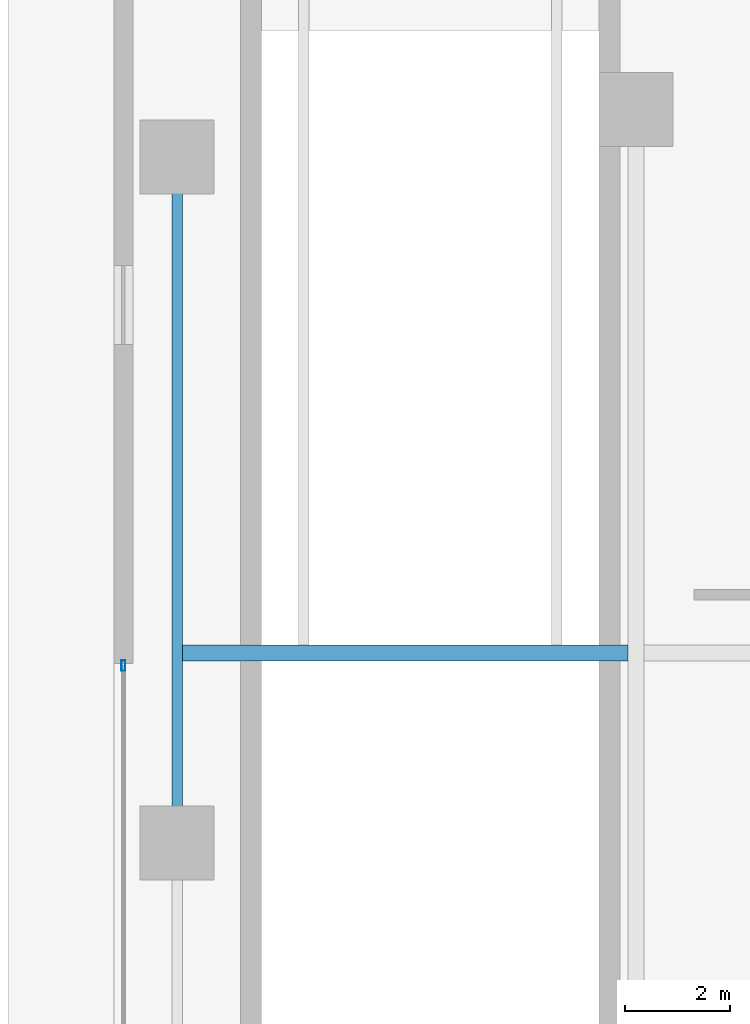
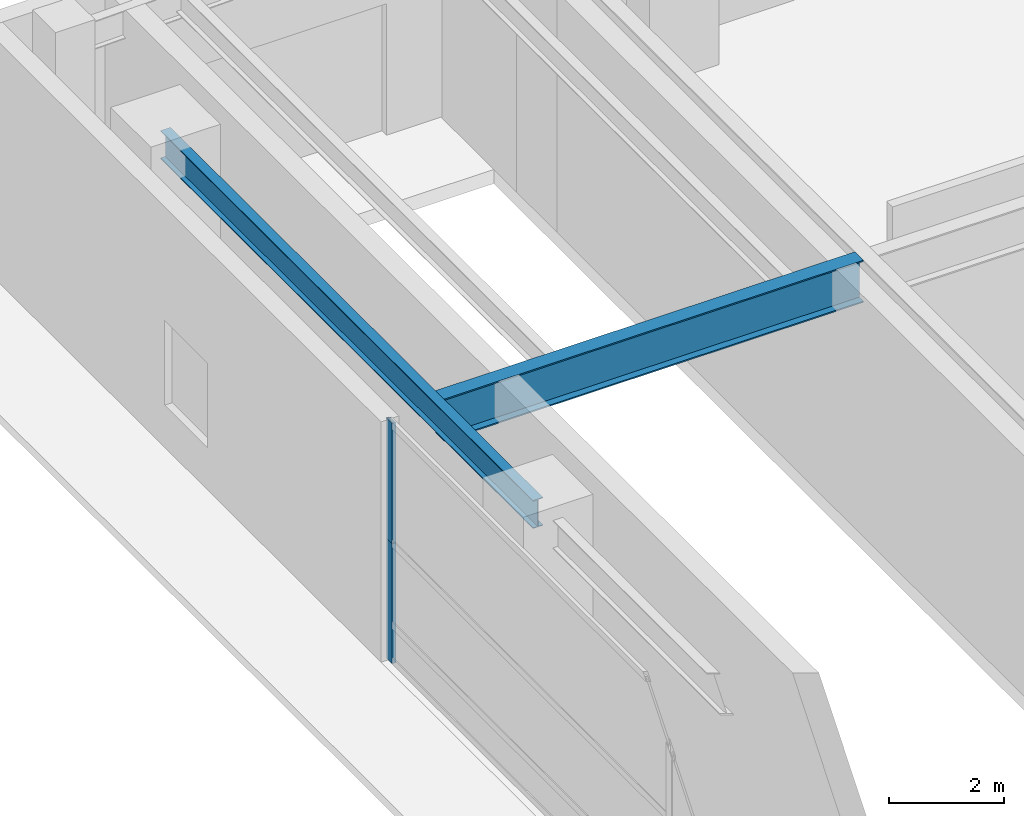
# One storey, part 12 of 32: 2 beams, 2 members, 1 element without a shape of its own.
"""IFC4 building model written with IfcOpenShell, lengths in metres."""

import ifcopenshell
import ifcopenshell.guid

model = None  # the IFC model being written
_history = None  # IfcOwnerHistory: only IFC2X3 demands one
_inside = {}  # id of a spatial element -> (the spatial element, [elements in it])
_under = {}  # id of a project, library or spatial element -> (it, [spatial elements below it])
_declared = {}  # id of a project -> (the project, [libraries it declares])
_typed = {}  # id of a type object -> (the type object, [elements of that type])
_made_of = {}  # id of a material, layer set ... -> (it, [elements and type objects made of it])


def new_model(schema):
    """Start an empty IFC model of exactly this schema.

    Asked for "IFC4X3", IfcOpenShell would pick the latest addendum, in which some entities
    have other attributes; the version numbers below select the first issue.
    IFC2X3 requires an IfcOwnerHistory on every rooted entity: one is made here for all.
    """
    global model, _history
    if schema == "IFC4X3":
        model = ifcopenshell.file(schema_version=(4, 3, 0, 0))
    else:
        model = ifcopenshell.file(schema=schema)
    _inside.clear()
    _under.clear()
    _declared.clear()
    _typed.clear()
    _made_of.clear()
    _history = None
    if model.schema == "IFC2X3":
        org = make("IfcOrganization", Name="unknown")
        user = make(
            "IfcPersonAndOrganization",
            ThePerson=make("IfcPerson", FamilyName="unknown"),
            TheOrganization=org,
        )
        app = make(
            "IfcApplication",
            ApplicationDeveloper=org,
            Version="unknown",
            ApplicationFullName="unknown",
            ApplicationIdentifier="unknown",
        )
        _history = make(
            "IfcOwnerHistory",
            OwningUser=user,
            OwningApplication=app,
            ChangeAction="ADDED",
            CreationDate=0,
        )
    return model


def make(cls, **values):
    """One entity of the class cls with the attributes given. An attribute that is None is left unset."""
    return model.create_entity(
        cls, **{name: value for name, value in values.items() if value is not None}
    )


def rooted(cls, **values):
    """An entity with a GlobalId (a new one), such as an element, a storey or a relation."""
    return make(cls, GlobalId=ifcopenshell.guid.new(), OwnerHistory=_history, **values)


def si_unit(unit_type, name, prefix=None):
    """IfcSIUnit, for example si_unit("LENGTHUNIT", "METRE", prefix="MILLI")."""
    return make("IfcSIUnit", UnitType=unit_type, Prefix=prefix, Name=name)


def assignment(units):
    """IfcUnitAssignment: the units of a project."""
    return None if units is None else make("IfcUnitAssignment", Units=units)


def point(xyz):
    """IfcCartesianPoint."""
    return None if xyz is None else make("IfcCartesianPoint", Coordinates=xyz)


def direction(xyz):
    """IfcDirection."""
    return None if xyz is None else make("IfcDirection", DirectionRatios=xyz)


def frame(location, z_axis=None, x_axis=None):
    """IfcAxis2Placement3D, a coordinate frame: its origin and axes. An axis left out is left unset."""
    return make(
        "IfcAxis2Placement3D",
        Location=point(location),
        Axis=direction(z_axis),
        RefDirection=direction(x_axis),
    )


def frame_2d(location, x_axis=None):
    """IfcAxis2Placement2D, a coordinate frame in the plane: its origin and x axis."""
    return make(
        "IfcAxis2Placement2D", Location=point(location), RefDirection=direction(x_axis)
    )


def origin():
    """The frame at (0, 0, 0) with its axes left unset."""
    return frame((0.0, 0.0, 0.0))


def origin_2d():
    """The frame at (0, 0) in the plane with its x axis left unset."""
    return frame_2d((0.0, 0.0))


def place(relative_to, where):
    """IfcLocalPlacement: puts the frame where relative to a parent placement (None: the world)."""
    return make(
        "IfcLocalPlacement", PlacementRelTo=relative_to, RelativePlacement=where
    )


def context(
    kind, dimensions, precision=None, world=None, true_north=None, identifier=None
):
    """IfcGeometricRepresentationContext, for example the 3D "Model" context."""
    return make(
        "IfcGeometricRepresentationContext",
        ContextIdentifier=identifier,
        ContextType=kind,
        CoordinateSpaceDimension=dimensions,
        Precision=precision,
        WorldCoordinateSystem=world,
        TrueNorth=true_north,
    )


def subcontext(parent, identifier, kind, view, scale=None):
    """IfcGeometricRepresentationSubContext, for example "Body" below "Model"."""
    return make(
        "IfcGeometricRepresentationSubContext",
        ContextIdentifier=identifier,
        ContextType=kind,
        ParentContext=parent,
        TargetScale=scale,
        TargetView=view,
    )


def project(units=None, contexts=None):
    """IfcProject with its units and contexts."""
    return rooted(
        "IfcProject",
        Name="project",
        RepresentationContexts=contexts,
        UnitsInContext=assignment(units),
    )


def spatial(cls, under=None, at=None, **own):
    """A site, building, storey or space (cls), placed at a placement, below another one or the project."""
    s = rooted(cls, ObjectPlacement=at, **own)
    if under is not None:
        _under.setdefault(under.id(), (under, []))[1].append(s)
    return s


def profile(cls, at=None, kind="AREA", **sizes):
    """A parametric profile (cls). Its sizes go by their IFC names, for example OverallWidth=200.0."""
    return make(cls, ProfileType=kind, Position=at, **sizes)


def hollow_rectangle(**sizes):
    """IfcRectangleHollowProfileDef."""
    return profile("IfcRectangleHollowProfileDef", **sizes)


def i_section(**sizes):
    """IfcIShapeProfileDef."""
    return profile("IfcIShapeProfileDef", **sizes)


def extrude(swept, where, along, depth):
    """IfcExtrudedAreaSolid: the profile swept, set in the frame where, extruded along a direction by depth."""
    return make(
        "IfcExtrudedAreaSolid",
        SweptArea=swept,
        Position=where,
        ExtrudedDirection=direction(along),
        Depth=depth,
    )


def shape(context_of_items, identifier, shape_type, items):
    """IfcShapeRepresentation: the items that make up one representation, for example the "Body"."""
    return make(
        "IfcShapeRepresentation",
        ContextOfItems=context_of_items,
        RepresentationIdentifier=identifier,
        RepresentationType=shape_type,
        Items=items,
    )


def source(mapping_origin, context_of_items, identifier, shape_type, items):
    """IfcRepresentationMap: a shape defined once, which mapped items show again and again."""
    return make(
        "IfcRepresentationMap",
        MappingOrigin=mapping_origin,
        MappedRepresentation=shape(context_of_items, identifier, shape_type, items),
    )


def transform(
    local_origin,
    x_axis=None,
    y_axis=None,
    z_axis=None,
    scale=None,
    scale2=None,
    scale3=None,
    uniform=True,
):
    """IfcCartesianTransformationOperator3D, or its non-uniform kind. x_axis, y_axis, z_axis: its Axis1, 2, 3."""
    if uniform:
        return make(
            "IfcCartesianTransformationOperator3D",
            Axis1=direction(x_axis),
            Axis2=direction(y_axis),
            LocalOrigin=point(local_origin),
            Scale=scale,
            Axis3=direction(z_axis),
        )
    return make(
        "IfcCartesianTransformationOperator3DnonUniform",
        Axis1=direction(x_axis),
        Axis2=direction(y_axis),
        LocalOrigin=point(local_origin),
        Scale=scale,
        Axis3=direction(z_axis),
        Scale2=scale2,
        Scale3=scale3,
    )


def mapped(mapping_source, mapping_target):
    """IfcMappedItem: shows the shape of a source again, moved by a transform."""
    return make(
        "IfcMappedItem", MappingSource=mapping_source, MappingTarget=mapping_target
    )


def material(Name=None, Category=None):
    """IfcMaterial."""
    return make("IfcMaterial", Name=Name, Category=Category)


def layer(
    of_material, thickness, ventilated=None, Name=None, Category=None, Priority=None
):
    """IfcMaterialLayer: one layer of a wall or slab, of a material (None: an air gap)."""
    return make(
        "IfcMaterialLayer",
        Material=of_material,
        LayerThickness=thickness,
        IsVentilated=ventilated,
        Name=Name,
        Category=Category,
        Priority=Priority,
    )


def layer_set(layers, Name=None):
    """IfcMaterialLayerSet."""
    return make("IfcMaterialLayerSet", MaterialLayers=layers, LayerSetName=Name)


def material_profile(
    of_material, cross_section, Name=None, Category=None, Priority=None
):
    """IfcMaterialProfile: a cross section and its material."""
    return make(
        "IfcMaterialProfile",
        Name=Name,
        Material=of_material,
        Profile=cross_section,
        Priority=Priority,
        Category=Category,
    )


def profile_set(profiles, Name=None, composite=None):
    """IfcMaterialProfileSet."""
    return make(
        "IfcMaterialProfileSet",
        Name=Name,
        MaterialProfiles=profiles,
        CompositeProfile=composite,
    )


def made_of(thing, what):
    """Note that an element or type object is made of a material, layer set ...; save() writes the relation."""
    if what is not None:
        _made_of.setdefault(what.id(), (what, []))[1].append(thing)
    return thing


def type_object(cls, material=None, **own):
    """A type object (cls), such as IfcWallType, which elements share."""
    return made_of(rooted(cls, **own), material)


def element(
    cls,
    number,
    at=None,
    inside=None,
    cuts=None,
    type_object=None,
    material=None,
    context=None,
    identifier="Body",
    shape_type=None,
    held_by="IfcProductDefinitionShape",
    body=None,
    shapes=None,
    **own,
):
    """One element of the class cls, such as IfcWall. Its Tag is "e" and its number.

    at: its placement. inside: the storey or other place that contains it. cuts: it is an
    opening in that element (IfcRelVoidsElement). A single representation is given by context,
    identifier, shape_type and body (its items); several are given by shapes. held_by: the class
    of the entity that holds the representations. save() writes the other relations.
    """
    e = rooted(cls, Tag="e%d" % number, ObjectPlacement=at, **own)
    if body is not None:
        shapes = [shape(context, identifier, shape_type, body)]
    if shapes is not None:
        e.Representation = make(held_by, Representations=shapes)
    if inside is not None:
        _inside.setdefault(inside.id(), (inside, []))[1].append(e)
    if cuts is not None:
        rooted(
            "IfcRelVoidsElement", RelatingBuildingElement=cuts, RelatedOpeningElement=e
        )
    if type_object is not None:
        _typed.setdefault(type_object.id(), (type_object, []))[1].append(e)
    return made_of(e, material)


def aggregate(whole, parts):
    """IfcRelAggregates: a whole, such as a stair, and the parts it consists of."""
    return rooted("IfcRelAggregates", RelatingObject=whole, RelatedObjects=parts)


def save(model, path):
    """Write the relations noted so far, then the file.

    IfcRelAggregates (storeys below a building ...), IfcRelContainedInSpatialStructure (elements
    in a storey), IfcRelDefinesByType, IfcRelAssociatesMaterial and IfcRelDeclares: one each for
    every whole, place, type object, material and project.
    """
    for whole, parts in _under.values():
        aggregate(whole, parts)
    for where, things in _inside.values():
        rooted(
            "IfcRelContainedInSpatialStructure",
            RelatedElements=things,
            RelatingStructure=where,
        )
    for kind, things in _typed.values():
        rooted("IfcRelDefinesByType", RelatedObjects=things, RelatingType=kind)
    for what, things in _made_of.values():
        rooted("IfcRelAssociatesMaterial", RelatedObjects=things, RelatingMaterial=what)
    for by, libraries in _declared.values():
        rooted("IfcRelDeclares", RelatingContext=by, RelatedDefinitions=libraries)
    model.write(path)


model = new_model("IFC4")

# Units and contexts
model_context = context("Model", 3, precision=1e-05, world=origin(), true_north=direction((0.0, 1.0)))
body_context = subcontext(model_context, "Body", "Model", "MODEL_VIEW")
ifc_project = project(units=[si_unit("LENGTHUNIT", "METRE"), si_unit("AREAUNIT", "SQUARE_METRE"), si_unit("VOLUMEUNIT", "CUBIC_METRE"), si_unit("PLANEANGLEUNIT", "RADIAN"), si_unit("MASSUNIT", "GRAM", prefix="KILO"), si_unit("THERMODYNAMICTEMPERATUREUNIT", "KELVIN"), si_unit("POWERUNIT", "WATT")], contexts=[model_context])

# Site, building, storey
site_placement = place(None, origin())
site = spatial("IfcSite", under=ifc_project, at=site_placement, CompositionType="ELEMENT")
building_placement = place(site_placement, origin())
building = spatial("IfcBuilding", under=site, at=building_placement, Name="Yuzanri Waterfront Tower", CompositionType="ELEMENT")
storey_placement = place(building_placement, origin())
storey = spatial("IfcBuildingStorey", under=building, at=storey_placement, Name="L01", CompositionType="ELEMENT", Elevation=0.0)

# Beams
ifc_material_1 = material(Name="Steel Q355B", Category="steel")
ifc_material_profile_1 = material_profile(ifc_material_1, i_section(OverallWidth=0.199951171875, OverallDepth=0.60009765625, WebThickness=0.010986328125, FlangeThickness=0.01708984375, at=origin_2d()), Name="HN 600x200x11x17")
ifc_profile_set_1 = profile_set([ifc_material_profile_1], Name="Steel Q355B")
beam_type_1 = type_object("IfcBeamType", Name="Perimeter Spandrel Q355B HN 600x200", PredefinedType="SPANDREL", material=ifc_profile_set_1)
shared_shape_1 = source(origin(), body_context, "Body", "SweptSolid", [
    extrude(i_section(OverallWidth=0.199951171875, OverallDepth=0.60009765625, WebThickness=0.010986328125, FlangeThickness=0.01708984375, at=origin_2d()), origin(), (0.0, 0.0, 1.0), 13.0),
])
beam_1_placement = place(storey_placement, frame((3.199951171875, 32.199951171875, 4.820068359375), z_axis=(0.0, 1.0, 0.0), x_axis=(-1.0, 0.0, 0.0)))
element("IfcBeam", 1, at=beam_1_placement, inside=storey, type_object=beam_type_1, Name="L01 West Podium Spandrel 3", PredefinedType="SPANDREL", context=body_context, shape_type="MappedRepresentation", body=[
    mapped(shared_shape_1, transform((0.0, 0.0, 0.0), scale=1.0)),
])
ifc_material_2 = material(Name="Steel Q355B", Category="steel")
ifc_material_profile_2 = material_profile(ifc_material_2, i_section(OverallWidth=0.300048828125, OverallDepth=0.89990234375, WebThickness=0.01611328125, FlangeThickness=0.028076171875, at=origin_2d()), Name="HN 900x300x16x28")
ifc_profile_set_2 = profile_set([ifc_material_profile_2], Name="Steel Q355B")
beam_type_2 = type_object("IfcBeamType", Name="Primary Podium Girder Q355B HN 900x300", PredefinedType="BEAM", material=ifc_profile_set_2)
shared_shape_2 = source(origin(), body_context, "Body", "SweptSolid", [
    extrude(i_section(OverallWidth=0.300048828125, OverallDepth=0.89990234375, WebThickness=0.01611328125, FlangeThickness=0.028076171875, at=origin_2d()), origin(), (0.0, 0.0, 1.0), 8.449951171875),
])
beam_2_placement = place(storey_placement, frame((3.300048828125, 35.800048828125, 4.669921875), z_axis=(1.0, 0.0, 0.0), x_axis=(0.0, 1.0, 0.0)))
element("IfcBeam", 2, at=beam_2_placement, inside=storey, type_object=beam_type_2, Name="L01 Canopy Interior Tie Girder Far-NW", PredefinedType="BEAM", context=body_context, shape_type="MappedRepresentation", body=[
    mapped(shared_shape_2, transform((0.0, 0.0, 0.0), scale=1.0)),
])

# Curtain wall, members
ifc_material_3 = material(Name="Anodized Architectural Bronze", Category="metal")
ifc_layer = layer(ifc_material_3, 0.159912109375)
ifc_layer_set = layer_set([ifc_layer], Name="Anodized Architectural Bronze")
curtain_wall_type = type_object("IfcCurtainWallType", Name="Anodized Bronze Podium Waterfront Double-Height Unitized Curtain Wall 8400", PredefinedType="NOTDEFINED", material=ifc_layer_set)
curtain_wall_placement = place(storey_placement, origin())
curtain_wall = element("IfcCurtainWall", 3, at=curtain_wall_placement, inside=storey, type_object=curtain_wall_type, Name="L01 Curtain Wall CW-L01-W", PredefinedType="NOTDEFINED")
ifc_material_4 = material(Name="Anodized Architectural Bronze", Category="metal")
ifc_material_profile_3 = material_profile(ifc_material_4, hollow_rectangle(XDim=0.074951171875, YDim=0.199951171875, WallThickness=0.00390625, at=origin_2d()), Name="CWM 75x200")
ifc_profile_set_3 = profile_set([ifc_material_profile_3], Name="Anodized Architectural Bronze")
member_type = type_object("IfcMemberType", Name="Anodized Bronze Primary Curtain-Wall Mullion 75x200", PredefinedType="MULLION", material=ifc_profile_set_3)
shared_shape_3 = source(origin(), body_context, "Body", "SweptSolid", [
    extrude(hollow_rectangle(XDim=0.074951171875, YDim=0.199951171875, WallThickness=0.00390625, at=origin_2d()), origin(), (0.0, 0.0, 1.0), 2.55810546875),
])
member_1_placement = place(storey_placement, frame((2.179931640625, 35.56005859375, 0.0), z_axis=(0.0, 0.0, 1.0), x_axis=(1.0, 0.0, 0.0)))
member_1 = element("IfcMember", 4, at=member_1_placement, type_object=member_type, Name="CW-L01-W Lower Mullion 02", PredefinedType="MULLION", context=body_context, shape_type="MappedRepresentation", body=[
    mapped(shared_shape_3, transform((0.0, 0.0, 0.0), scale=1.0)),
])
member_2_placement = place(storey_placement, frame((2.179931640625, 35.56005859375, 2.56201171875), z_axis=(0.0, 0.0, 1.0), x_axis=(1.0, 0.0, 0.0)))
member_2 = element("IfcMember", 5, at=member_2_placement, type_object=member_type, Name="CW-L01-W Upper Mullion 02", PredefinedType="MULLION", context=body_context, shape_type="MappedRepresentation", body=[
    mapped(shared_shape_3, transform((0.0, 0.0, 0.0), scale=1.0)),
])
aggregate(curtain_wall, [member_1, member_2])

save(model, "model.ifc")
